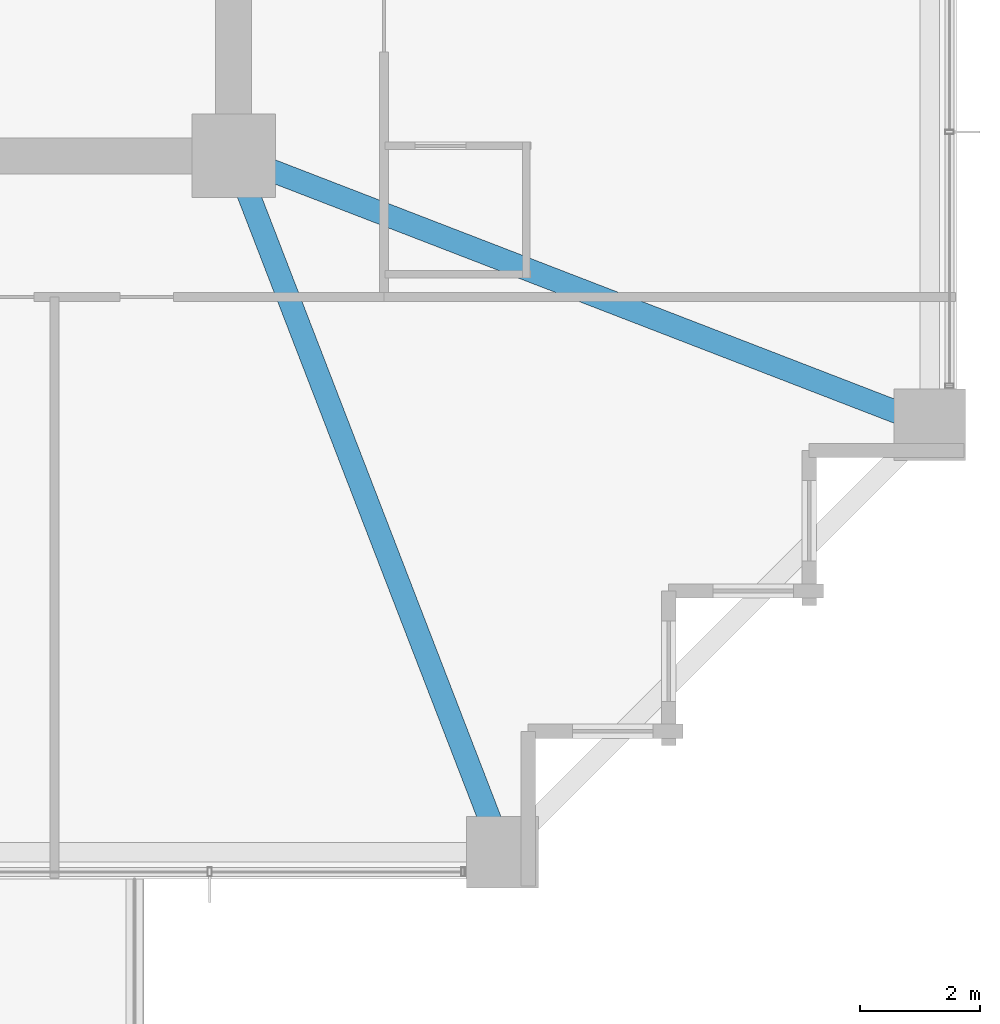
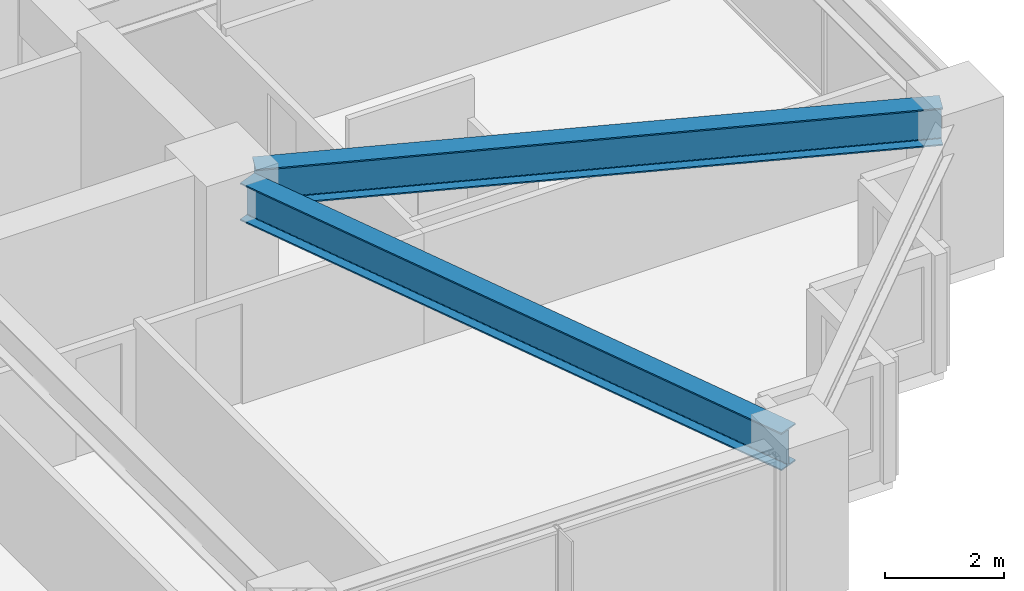
# One storey, part 12 of 38: 2 beams.
"""IFC4 building model written with IfcOpenShell, lengths in metres."""

from ifc_helpers import new_model, si_unit, direction, frame, origin, origin_2d, place, context, subcontext, project, spatial, i_section, extrude, material, material_profile, profile_set, type_object, element, save


model = new_model("IFC4")

# Units and contexts
model_context = context("Model", 3, precision=1e-05, world=origin(), true_north=direction((0.0, 1.0)))
body_context = subcontext(model_context, "Body", "Model", "MODEL_VIEW")
ifc_project = project(units=[si_unit("LENGTHUNIT", "METRE"), si_unit("AREAUNIT", "SQUARE_METRE"), si_unit("VOLUMEUNIT", "CUBIC_METRE"), si_unit("PLANEANGLEUNIT", "RADIAN"), si_unit("MASSUNIT", "GRAM", prefix="KILO")], contexts=[model_context])

# Site, building, storey
site_placement = place(None, origin())
site = spatial("IfcSite", under=ifc_project, at=site_placement, CompositionType="ELEMENT")
building_placement = place(site_placement, origin())
building = spatial("IfcBuilding", under=site, at=building_placement, Name="Kolvaren Belvedere", CompositionType="ELEMENT")
storey_placement = place(building_placement, frame((0.0, 0.0, 27.10009765625)))
storey = spatial("IfcBuildingStorey", under=building, at=storey_placement, Name="L07", CompositionType="ELEMENT", Elevation=27.10009765625)

# Beams
ifc_material = material(Name="Structural steel ASTM A992 Grade 50", Category="steel")
ifc_material_profile = material_profile(ifc_material, i_section(OverallWidth=0.381103515625, OverallDepth=0.77294921875, WebThickness=0.0166015625, FlangeThickness=0.027099609375, FilletRadius=0.02392578125, at=origin_2d()), Name="W30X173")
ifc_profile_set = profile_set([ifc_material_profile], Name="Structural steel ASTM A992 Grade 50")
beam_type = type_object("IfcBeamType", Name="BM-GIRD-W30X173", PredefinedType="BEAM", material=ifc_profile_set)
for number, where, z_axis, x_axis, name in (
    (1, (10.09814453125, -10.4130859375, 2.67333984375), (0.360318391835, -0.932829382313, 0.0), (0.932829382313, 0.360318391835, 0.0), "L07 Corner Core-to-Perimeter Girder CC2-S4"),
    (2, (10.4130859375, -10.09814453125, 2.67333984375), (0.932829382313, -0.360318391835, 0.0), (0.360318391835, 0.932829382313, 0.0), "L07 Corner Core-to-Perimeter Girder CC2-E1"),
):
    element("IfcBeam", number, at=place(storey_placement, frame(where, z_axis=z_axis, x_axis=x_axis)), inside=storey, type_object=beam_type, Name=name, PredefinedType="BEAM", context=body_context, shape_type="SweptSolid", body=[
        extrude(i_section(OverallWidth=0.381103515625, OverallDepth=0.77294921875, WebThickness=0.0166015625, FlangeThickness=0.027099609375, FilletRadius=0.02392578125, at=origin_2d()), origin(), (0.0, 0.0, 1.0), 11.698974609375),
    ])

save(model, "model.ifc")
